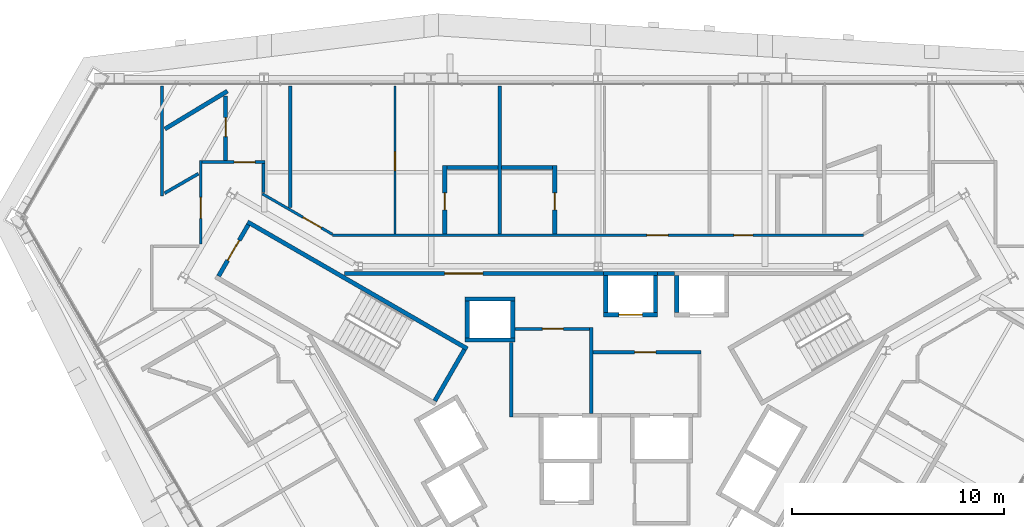
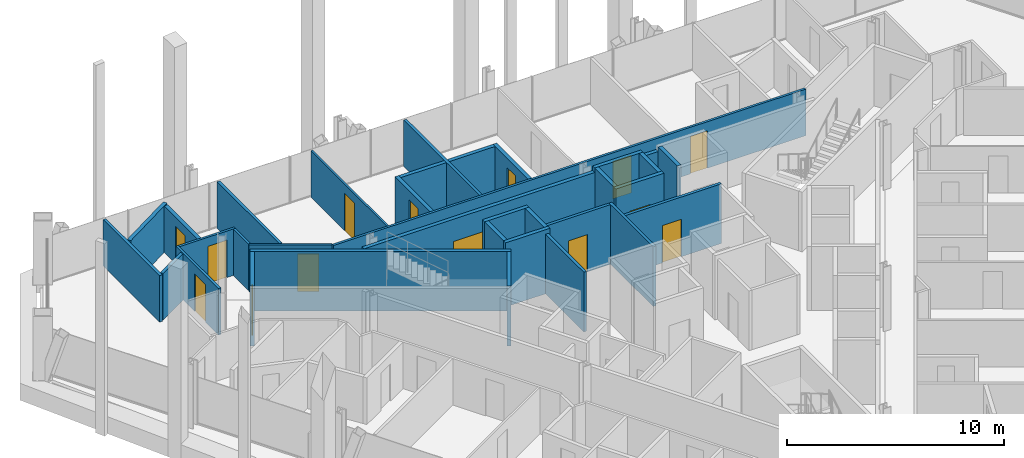
# One storey, part 13 of 17: 34 walls, 14 doors, 14 openings.
"""IFC4 building model written with IfcOpenShell, lengths in metres."""

import ifcopenshell
import ifcopenshell.guid

model = None  # the IFC model being written
_history = None  # IfcOwnerHistory: only IFC2X3 demands one
_inside = {}  # id of a spatial element -> (the spatial element, [elements in it])
_under = {}  # id of a project, library or spatial element -> (it, [spatial elements below it])
_declared = {}  # id of a project -> (the project, [libraries it declares])
_typed = {}  # id of a type object -> (the type object, [elements of that type])
_made_of = {}  # id of a material, layer set ... -> (it, [elements and type objects made of it])


def new_model(schema):
    """Start an empty IFC model of exactly this schema.

    Asked for "IFC4X3", IfcOpenShell would pick the latest addendum, in which some entities
    have other attributes; the version numbers below select the first issue.
    IFC2X3 requires an IfcOwnerHistory on every rooted entity: one is made here for all.
    """
    global model, _history
    if schema == "IFC4X3":
        model = ifcopenshell.file(schema_version=(4, 3, 0, 0))
    else:
        model = ifcopenshell.file(schema=schema)
    _inside.clear()
    _under.clear()
    _declared.clear()
    _typed.clear()
    _made_of.clear()
    _history = None
    if model.schema == "IFC2X3":
        org = make("IfcOrganization", Name="unknown")
        user = make(
            "IfcPersonAndOrganization",
            ThePerson=make("IfcPerson", FamilyName="unknown"),
            TheOrganization=org,
        )
        app = make(
            "IfcApplication",
            ApplicationDeveloper=org,
            Version="unknown",
            ApplicationFullName="unknown",
            ApplicationIdentifier="unknown",
        )
        _history = make(
            "IfcOwnerHistory",
            OwningUser=user,
            OwningApplication=app,
            ChangeAction="ADDED",
            CreationDate=0,
        )
    return model


def make(cls, **values):
    """One entity of the class cls with the attributes given. An attribute that is None is left unset."""
    return model.create_entity(
        cls, **{name: value for name, value in values.items() if value is not None}
    )


def rooted(cls, **values):
    """An entity with a GlobalId (a new one), such as an element, a storey or a relation."""
    return make(cls, GlobalId=ifcopenshell.guid.new(), OwnerHistory=_history, **values)


def si_unit(unit_type, name, prefix=None):
    """IfcSIUnit, for example si_unit("LENGTHUNIT", "METRE", prefix="MILLI")."""
    return make("IfcSIUnit", UnitType=unit_type, Prefix=prefix, Name=name)


def assignment(units):
    """IfcUnitAssignment: the units of a project."""
    return None if units is None else make("IfcUnitAssignment", Units=units)


def point(xyz):
    """IfcCartesianPoint."""
    return None if xyz is None else make("IfcCartesianPoint", Coordinates=xyz)


def direction(xyz):
    """IfcDirection."""
    return None if xyz is None else make("IfcDirection", DirectionRatios=xyz)


def frame(location, z_axis=None, x_axis=None):
    """IfcAxis2Placement3D, a coordinate frame: its origin and axes. An axis left out is left unset."""
    return make(
        "IfcAxis2Placement3D",
        Location=point(location),
        Axis=direction(z_axis),
        RefDirection=direction(x_axis),
    )


def frame_2d(location, x_axis=None):
    """IfcAxis2Placement2D, a coordinate frame in the plane: its origin and x axis."""
    return make(
        "IfcAxis2Placement2D", Location=point(location), RefDirection=direction(x_axis)
    )


def origin():
    """The frame at (0, 0, 0) with its axes left unset."""
    return frame((0.0, 0.0, 0.0))


def place(relative_to, where):
    """IfcLocalPlacement: puts the frame where relative to a parent placement (None: the world)."""
    return make(
        "IfcLocalPlacement", PlacementRelTo=relative_to, RelativePlacement=where
    )


def context(
    kind, dimensions, precision=None, world=None, true_north=None, identifier=None
):
    """IfcGeometricRepresentationContext, for example the 3D "Model" context."""
    return make(
        "IfcGeometricRepresentationContext",
        ContextIdentifier=identifier,
        ContextType=kind,
        CoordinateSpaceDimension=dimensions,
        Precision=precision,
        WorldCoordinateSystem=world,
        TrueNorth=true_north,
    )


def subcontext(parent, identifier, kind, view, scale=None):
    """IfcGeometricRepresentationSubContext, for example "Body" below "Model"."""
    return make(
        "IfcGeometricRepresentationSubContext",
        ContextIdentifier=identifier,
        ContextType=kind,
        ParentContext=parent,
        TargetScale=scale,
        TargetView=view,
    )


def project(units=None, contexts=None):
    """IfcProject with its units and contexts."""
    return rooted(
        "IfcProject",
        Name="project",
        RepresentationContexts=contexts,
        UnitsInContext=assignment(units),
    )


def spatial(cls, under=None, at=None, **own):
    """A site, building, storey or space (cls), placed at a placement, below another one or the project."""
    s = rooted(cls, ObjectPlacement=at, **own)
    if under is not None:
        _under.setdefault(under.id(), (under, []))[1].append(s)
    return s


def profile(cls, at=None, kind="AREA", **sizes):
    """A parametric profile (cls). Its sizes go by their IFC names, for example OverallWidth=200.0."""
    return make(cls, ProfileType=kind, Position=at, **sizes)


def rectangle(**sizes):
    """IfcRectangleProfileDef."""
    return profile("IfcRectangleProfileDef", **sizes)


def extrude(swept, where, along, depth):
    """IfcExtrudedAreaSolid: the profile swept, set in the frame where, extruded along a direction by depth."""
    return make(
        "IfcExtrudedAreaSolid",
        SweptArea=swept,
        Position=where,
        ExtrudedDirection=direction(along),
        Depth=depth,
    )


def shape(context_of_items, identifier, shape_type, items):
    """IfcShapeRepresentation: the items that make up one representation, for example the "Body"."""
    return make(
        "IfcShapeRepresentation",
        ContextOfItems=context_of_items,
        RepresentationIdentifier=identifier,
        RepresentationType=shape_type,
        Items=items,
    )


def material(Name=None, Category=None):
    """IfcMaterial."""
    return make("IfcMaterial", Name=Name, Category=Category)


def layer(
    of_material, thickness, ventilated=None, Name=None, Category=None, Priority=None
):
    """IfcMaterialLayer: one layer of a wall or slab, of a material (None: an air gap)."""
    return make(
        "IfcMaterialLayer",
        Material=of_material,
        LayerThickness=thickness,
        IsVentilated=ventilated,
        Name=Name,
        Category=Category,
        Priority=Priority,
    )


def layer_set(layers, Name=None):
    """IfcMaterialLayerSet."""
    return make("IfcMaterialLayerSet", MaterialLayers=layers, LayerSetName=Name)


def made_of(thing, what):
    """Note that an element or type object is made of a material, layer set ...; save() writes the relation."""
    if what is not None:
        _made_of.setdefault(what.id(), (what, []))[1].append(thing)
    return thing


def type_object(cls, material=None, **own):
    """A type object (cls), such as IfcWallType, which elements share."""
    return made_of(rooted(cls, **own), material)


def element(
    cls,
    number,
    at=None,
    inside=None,
    cuts=None,
    type_object=None,
    material=None,
    context=None,
    identifier="Body",
    shape_type=None,
    held_by="IfcProductDefinitionShape",
    body=None,
    shapes=None,
    **own,
):
    """One element of the class cls, such as IfcWall. Its Tag is "e" and its number.

    at: its placement. inside: the storey or other place that contains it. cuts: it is an
    opening in that element (IfcRelVoidsElement). A single representation is given by context,
    identifier, shape_type and body (its items); several are given by shapes. held_by: the class
    of the entity that holds the representations. save() writes the other relations.
    """
    e = rooted(cls, Tag="e%d" % number, ObjectPlacement=at, **own)
    if body is not None:
        shapes = [shape(context, identifier, shape_type, body)]
    if shapes is not None:
        e.Representation = make(held_by, Representations=shapes)
    if inside is not None:
        _inside.setdefault(inside.id(), (inside, []))[1].append(e)
    if cuts is not None:
        rooted(
            "IfcRelVoidsElement", RelatingBuildingElement=cuts, RelatedOpeningElement=e
        )
    if type_object is not None:
        _typed.setdefault(type_object.id(), (type_object, []))[1].append(e)
    return made_of(e, material)


def fill(opening, filler):
    """IfcRelFillsElement: the door or window that sits in an opening."""
    return rooted(
        "IfcRelFillsElement",
        RelatingOpeningElement=opening,
        RelatedBuildingElement=filler,
    )


def aggregate(whole, parts):
    """IfcRelAggregates: a whole, such as a stair, and the parts it consists of."""
    return rooted("IfcRelAggregates", RelatingObject=whole, RelatedObjects=parts)


def save(model, path):
    """Write the relations noted so far, then the file.

    IfcRelAggregates (storeys below a building ...), IfcRelContainedInSpatialStructure (elements
    in a storey), IfcRelDefinesByType, IfcRelAssociatesMaterial and IfcRelDeclares: one each for
    every whole, place, type object, material and project.
    """
    for whole, parts in _under.values():
        aggregate(whole, parts)
    for where, things in _inside.values():
        rooted(
            "IfcRelContainedInSpatialStructure",
            RelatedElements=things,
            RelatingStructure=where,
        )
    for kind, things in _typed.values():
        rooted("IfcRelDefinesByType", RelatedObjects=things, RelatingType=kind)
    for what, things in _made_of.values():
        rooted("IfcRelAssociatesMaterial", RelatedObjects=things, RelatingMaterial=what)
    for by, libraries in _declared.values():
        rooted("IfcRelDeclares", RelatingContext=by, RelatedDefinitions=libraries)
    model.write(path)


model = new_model("IFC4")

# Units and contexts
model_context = context("Model", 3, precision=1e-05, world=origin(), true_north=direction((0.0, 1.0)))
body_context = subcontext(model_context, "Body", "Model", "MODEL_VIEW")
ifc_project = project(units=[si_unit("LENGTHUNIT", "METRE"), si_unit("AREAUNIT", "SQUARE_METRE"), si_unit("VOLUMEUNIT", "CUBIC_METRE"), si_unit("PLANEANGLEUNIT", "RADIAN"), si_unit("MASSUNIT", "GRAM", prefix="KILO")], contexts=[model_context])

# Site, building, storey
site_placement = place(None, origin())
site = spatial("IfcSite", under=ifc_project, at=site_placement, CompositionType="ELEMENT")
building_placement = place(site_placement, origin())
building = spatial("IfcBuilding", under=site, at=building_placement, Name="Verrane Prism Tower", CompositionType="ELEMENT")
storey_placement = place(building_placement, frame((0.0, 0.0, 92.800048828125)))
storey = spatial("IfcBuildingStorey", under=building, at=storey_placement, Name="L21", CompositionType="ELEMENT", Elevation=92.800048828125)

# Wall, opening, door
ifc_material_1 = material(Name="Gypsum board partition", Category="other")
ifc_layer_1 = layer(ifc_material_1, 0.199951171875)
ifc_layer_set_1 = layer_set([ifc_layer_1], Name="CW-200 core boundary wall 2 h")
wall_type_1 = type_object("IfcWallType", Name="CW-200 core boundary wall 2 h", PredefinedType="PARTITIONING", material=ifc_layer_set_1)
wall_1_placement = place(storey_placement, frame((0.262939453125, 8.860107421875, 0.0), z_axis=(0.0, 0.0, 1.0), x_axis=(-1.0, 0.0, 0.0)))
wall_1 = element("IfcWall", 1, at=wall_1_placement, inside=storey, type_object=wall_type_1, Name="Core boundary wall CW3-002", PredefinedType="PARTITIONING", context=body_context, shape_type="SweptSolid", body=[
    extrude(rectangle(XDim=12.25390625, YDim=0.199951171875, at=frame_2d((6.126953125, 0.0))), origin(), (0.0, 0.0, 1.0), 3.349853515625),
])
opening_1_placement = place(wall_1_placement, frame((5.708984375, 0.0, 0.0)))
opening_1 = element("IfcOpeningElement", 2, at=opening_1_placement, cuts=wall_1, Name="Opening D21511", PredefinedType="OPENING", context=body_context, shape_type="SweptSolid", body=[
    extrude(rectangle(XDim=1.800048828125, YDim=2.10009765625, at=frame_2d((0.89990234375, 1.050048828125))), frame((0.0, 0.10986328125, 0.0), z_axis=(0.0, -1.0, 0.0), x_axis=(1.0, 0.0, 0.0)), (0.0, 0.0, 1.0), 0.219970703125),
])
ifc_material_2 = material(Name="Timber veneered door leaf", Category="wood")
door_type_1 = type_object("IfcDoorType", Name="DR-1800x2100 FD60 double leaf lift lobby", OperationType="NOTDEFINED", PredefinedType="DOOR", material=ifc_material_2)
door_1_placement = place(opening_1_placement, origin())
door_1 = element("IfcDoor", 3, at=door_1_placement, inside=storey, type_object=door_type_1, Name="Lift lobby door D21511", OperationType="DOUBLE_DOOR_SINGLE_SWING", OverallHeight=2.10009765625, OverallWidth=1.800048828125, PredefinedType="DOOR", context=body_context, shape_type="SweptSolid", body=[
    extrude(rectangle(XDim=1.800048828125, YDim=2.10009765625, at=frame_2d((0.89990234375, 1.050048828125))), frame((0.0, 0.02490234375, 0.0), z_axis=(0.0, -1.0, 0.0), x_axis=(1.0, 0.0, 0.0)), (0.0, 0.0, 1.0), 0.050048828125),
])
fill(opening_1, door_1)

# Wall
wall_2_placement = place(storey_placement, frame((2.81689453125, 8.860107421875, 0.0), z_axis=(0.0, 0.0, 1.0), x_axis=(1.0, 0.0, 0.0)))
element("IfcWall", 4, at=wall_2_placement, inside=storey, type_object=wall_type_1, Name="Core boundary wall CW3-004", PredefinedType="PARTITIONING", context=body_context, shape_type="SweptSolid", body=[
    extrude(rectangle(XDim=0.80615234375, YDim=0.199951171875, at=frame_2d((0.403076171875, 0.0))), origin(), (0.0, 0.0, 1.0), 3.349853515625),
])

# Wall, opening, door
ifc_material_3 = material(Name="Concrete C40/50", Category="concrete")
ifc_layer_2 = layer(ifc_material_3, 0.199951171875)
ifc_layer_set_2 = layer_set([ifc_layer_2], Name="CW-200 stair core wall concrete C40/50 3 h")
wall_type_2 = type_object("IfcWallType", Name="CW-200 stair core wall concrete C40/50 3 h", PredefinedType="PARTITIONING", material=ifc_layer_set_2)
wall_3_placement = place(storey_placement, frame((-16.533935546875, 11.162353515625, 0.0), z_axis=(0.0, 0.0, 1.0), x_axis=(-0.49998411664, -0.866034573852, 0.0)))
wall_3 = element("IfcWall", 5, at=wall_3_placement, inside=storey, type_object=wall_type_2, Name="Stair 2 enclosure wall", PredefinedType="PARTITIONING", context=body_context, shape_type="SweptSolid", body=[
    extrude(rectangle(XDim=2.7998046875, YDim=0.199951171875, at=frame_2d((1.39990234375, 0.0))), origin(), (0.0, 0.0, 1.0), 3.349853515625),
])
opening_2_placement = place(wall_3_placement, frame((0.849853515625, 0.0, 0.0)))
opening_2 = element("IfcOpeningElement", 6, at=opening_2_placement, cuts=wall_3, Name="Opening D21501", PredefinedType="OPENING", context=body_context, shape_type="SweptSolid", body=[
    extrude(rectangle(XDim=1.10009765625, YDim=2.10009765625, at=frame_2d((0.550048828125, 1.050048828125))), frame((0.0, 0.10986328125, 0.0), z_axis=(0.0, -1.0, 0.0), x_axis=(1.0, 0.0, 0.0)), (0.0, 0.0, 1.0), 0.219970703125),
])
ifc_material_4 = material(Name="Timber veneered door leaf", Category="wood")
door_type_2 = type_object("IfcDoorType", Name="DR-1100x2100 FD90 single leaf stair", OperationType="NOTDEFINED", PredefinedType="DOOR", material=ifc_material_4)
door_2_placement = place(opening_2_placement, origin())
door_2 = element("IfcDoor", 7, at=door_2_placement, inside=storey, type_object=door_type_2, Name="Stair 2 door", OperationType="SINGLE_SWING_RIGHT", OverallHeight=2.10009765625, OverallWidth=1.10009765625, PredefinedType="DOOR", context=body_context, shape_type="SweptSolid", body=[
    extrude(rectangle(XDim=1.10009765625, YDim=2.10009765625, at=frame_2d((0.550048828125, 1.050048828125))), frame((0.0, 0.02490234375, 0.0), z_axis=(0.0, -1.0, 0.0), x_axis=(1.0, 0.0, 0.0)), (0.0, 0.0, 1.0), 0.050048828125),
])
fill(opening_2, door_2)

# Walls
wall_4_placement = place(storey_placement, frame((-6.17822265625, 5.299072265625, 0.0), z_axis=(0.0, 0.0, 1.0), x_axis=(-0.866026010844, 0.49999894854, 0.0)))
element("IfcWall", 8, at=wall_4_placement, inside=storey, type_object=wall_type_2, Name="Stair 2 enclosure wall", PredefinedType="PARTITIONING", context=body_context, shape_type="SweptSolid", body=[
    extrude(rectangle(XDim=12.0, YDim=0.199951171875, at=frame_2d((6.0, 0.0))), origin(), (0.0, 0.0, 1.0), 3.349853515625),
])
wall_5_placement = place(storey_placement, frame((-6.314697265625, 5.262451171875, 0.0), z_axis=(0.0, 0.0, 1.0), x_axis=(-0.500049511043, -0.865996816683, 0.0)))
element("IfcWall", 9, at=wall_5_placement, inside=storey, type_object=wall_type_2, Name="Stair 2 enclosure wall", PredefinedType="PARTITIONING", context=body_context, shape_type="SweptSolid", body=[
    extrude(rectangle(XDim=2.800048828125, YDim=0.199951171875, at=frame_2d((1.39990234375, 0.0))), origin(), (0.0, 0.0, 1.0), 3.349853515625),
])
ifc_material_5 = material(Name="Gypsum board shaft wall assembly", Category="other")
ifc_layer_3 = layer(ifc_material_5, 0.199951171875)
ifc_layer_set_3 = layer_set([ifc_layer_3], Name="HW-200 lift shaft wall 2 h")
wall_type_3 = type_object("IfcWallType", Name="HW-200 lift shaft wall 2 h", PredefinedType="PARTITIONING", material=ifc_layer_set_3)
wall_6_placement = place(storey_placement, frame((-6.284912109375, 5.7099609375, 0.0), z_axis=(0.0, 0.0, 1.0), x_axis=(1.0, 0.0, 0.0)))
element("IfcWall", 10, at=wall_6_placement, inside=storey, type_object=wall_type_3, Name="Lift shaft wall", PredefinedType="PARTITIONING", context=body_context, shape_type="SweptSolid", body=[
    extrude(rectangle(XDim=2.349853515625, YDim=0.199951171875, at=frame_2d((1.1748046875, 0.0))), origin(), (0.0, 0.0, 1.0), 3.599853515625),
])

# Wall, opening, door
wall_7_placement = place(storey_placement, frame((0.264892578125, 6.909912109375, 0.0), z_axis=(0.0, 0.0, 1.0), x_axis=(1.0, 0.0, 0.0)))
wall_7 = element("IfcWall", 11, at=wall_7_placement, inside=storey, type_object=wall_type_3, Name="Lift shaft wall", PredefinedType="PARTITIONING", context=body_context, shape_type="SweptSolid", body=[
    extrude(rectangle(XDim=2.550048828125, YDim=0.199951171875, at=frame_2d((1.27490234375, 0.0))), origin(), (0.0, 0.0, 1.0), 3.599853515625),
])
opening_3_placement = place(wall_7_placement, frame((0.72509765625, 0.0, 0.0)))
opening_3 = element("IfcOpeningElement", 12, at=opening_3_placement, cuts=wall_7, Name="Opening D21503", PredefinedType="OPENING", context=body_context, shape_type="SweptSolid", body=[
    extrude(rectangle(XDim=1.10009765625, YDim=2.10009765625, at=frame_2d((0.550048828125, 1.050048828125))), frame((0.0, 0.10986328125, 0.0), z_axis=(0.0, -1.0, 0.0), x_axis=(1.0, 0.0, 0.0)), (0.0, 0.0, 1.0), 0.219970703125),
])
ifc_material_6 = material(Name="Stainless steel sliding landing door", Category="steel")
door_type_3 = type_object("IfcDoorType", Name="LD-1100x2100 lift landing door FD90 sliding", OperationType="NOTDEFINED", PredefinedType="DOOR", material=ifc_material_6)
door_3_placement = place(opening_3_placement, origin())
door_3 = element("IfcDoor", 13, at=door_3_placement, inside=storey, type_object=door_type_3, Name="Bank A lift 1 landing door", OperationType="SLIDING_TO_LEFT", OverallHeight=2.10009765625, OverallWidth=1.10009765625, PredefinedType="DOOR", context=body_context, shape_type="SweptSolid", body=[
    extrude(rectangle(XDim=1.10009765625, YDim=2.10009765625, at=frame_2d((0.550048828125, 1.050048828125))), frame((0.0, 0.02490234375, 0.0), z_axis=(0.0, -1.0, 0.0), x_axis=(1.0, 0.0, 0.0)), (0.0, 0.0, 1.0), 0.050048828125),
])
fill(opening_3, door_3)

# Walls
wall_8_placement = place(storey_placement, frame((-6.284912109375, 7.659912109375, 0.0), z_axis=(0.0, 0.0, 1.0), x_axis=(1.0, 0.0, 0.0)))
element("IfcWall", 14, at=wall_8_placement, inside=storey, type_object=wall_type_3, Name="Lift shaft wall", PredefinedType="PARTITIONING", context=body_context, shape_type="SweptSolid", body=[
    extrude(rectangle(XDim=2.349853515625, YDim=0.199951171875, at=frame_2d((1.1748046875, 0.0))), origin(), (0.0, 0.0, 1.0), 3.599853515625),
])
wall_9_placement = place(storey_placement, frame((0.264892578125, 8.860107421875, 0.0), z_axis=(0.0, 0.0, 1.0), x_axis=(1.0, 0.0, 0.0)))
element("IfcWall", 15, at=wall_9_placement, inside=storey, type_object=wall_type_3, Name="Lift shaft wall", PredefinedType="PARTITIONING", context=body_context, shape_type="SweptSolid", body=[
    extrude(rectangle(XDim=2.550048828125, YDim=0.199951171875, at=frame_2d((1.27490234375, 0.0))), origin(), (0.0, 0.0, 1.0), 3.599853515625),
])
for number, where, z_axis, x_axis, name in (
    (16, (3.72509765625, 7.010009765625, 0.0), (0.0, 0.0, 1.0), (0.0, 1.0, 0.0), "Lift shaft wall"),
    (17, (2.715087890625, 7.010009765625, 0.0), (0.0, 0.0, 1.0), (0.0, 1.0, 0.0), "Lift shaft wall"),
    (18, (0.364990234375, 7.010009765625, 0.0), (0.0, 0.0, 1.0), (0.0, 1.0, 0.0), "Lift shaft wall"),
    (19, (-4.034912109375, 5.81005859375, 0.0), (0.0, 0.0, 1.0), (0.0, 1.0, 0.0), "Lift shaft wall"),
    (20, (-6.18505859375, 5.81005859375, 0.0), (0.0, 0.0, 1.0), (0.0, 1.0, 0.0), "Lift shaft wall"),
):
    element("IfcWall", number, at=place(storey_placement, frame(where, z_axis=z_axis, x_axis=x_axis)), inside=storey, type_object=wall_type_3, Name=name, PredefinedType="PARTITIONING", context=body_context, shape_type="SweptSolid", body=[
        extrude(rectangle(XDim=1.75, YDim=0.199951171875, at=frame_2d((0.875, 0.0))), origin(), (0.0, 0.0, 1.0), 3.599853515625),
    ])
ifc_material_7 = material(Name="Gypsum board partition", Category="other")
ifc_layer_4 = layer(ifc_material_7, 0.14990234375)
ifc_layer_set_4 = layer_set([ifc_layer_4], Name="LF-150 firefighting lobby wall 1 h")
wall_type_4 = type_object("IfcWallType", Name="LF-150 firefighting lobby wall 1 h", PredefinedType="PARTITIONING", material=ifc_layer_set_4)
wall_10_placement = place(storey_placement, frame((-4.10009765625, 2.0849609375, 0.0), z_axis=(0.0, 0.0, 1.0), x_axis=(0.0, 1.0, 0.0)))
element("IfcWall", 21, at=wall_10_placement, inside=storey, type_object=wall_type_4, Name="Firefighting lobby wall LF1-001", PredefinedType="PARTITIONING", context=body_context, shape_type="SweptSolid", body=[
    extrude(rectangle(XDim=3.52294921875, YDim=0.14990234375, at=frame_2d((1.761474609375, 0.0))), origin(), (0.0, 0.0, 1.0), 3.349853515625),
])

# Wall, opening, door
wall_11_placement = place(storey_placement, frame((-3.93310546875, 6.239990234375, 0.0), z_axis=(0.0, 0.0, 1.0), x_axis=(1.0, 0.0, 0.0)))
wall_11 = element("IfcWall", 22, at=wall_11_placement, inside=storey, type_object=wall_type_4, Name="Firefighting lobby wall LF1-003", PredefinedType="PARTITIONING", context=body_context, shape_type="SweptSolid", body=[
    extrude(rectangle(XDim=3.5380859375, YDim=0.14990234375, at=frame_2d((1.76904296875, 0.0))), origin(), (0.0, 0.0, 1.0), 3.349853515625),
])
opening_4_placement = place(wall_11_placement, frame((1.300048828125, 0.0, 0.0)))
opening_4 = element("IfcOpeningElement", 23, at=opening_4_placement, cuts=wall_11, Name="Opening D21515", PredefinedType="OPENING", context=body_context, shape_type="SweptSolid", body=[
    extrude(rectangle(XDim=1.0, YDim=2.10009765625, at=frame_2d((0.5, 1.050048828125))), frame((0.0, 0.0849609375, 0.0), z_axis=(0.0, -1.0, 0.0), x_axis=(1.0, 0.0, 0.0)), (0.0, 0.0, 1.0), 0.169921875),
])
ifc_material_8 = material(Name="Timber veneered door leaf", Category="wood")
door_type_4 = type_object("IfcDoorType", Name="DR-1000x2100 FD60 single leaf firefighting lobby", OperationType="NOTDEFINED", PredefinedType="DOOR", material=ifc_material_8)
door_4_placement = place(opening_4_placement, origin())
door_4 = element("IfcDoor", 24, at=door_4_placement, inside=storey, type_object=door_type_4, Name="Firefighting lobby door D21515", OperationType="SINGLE_SWING_LEFT", OverallHeight=2.10009765625, OverallWidth=1.0, PredefinedType="DOOR", context=body_context, shape_type="SweptSolid", body=[
    extrude(rectangle(XDim=1.0, YDim=2.10009765625, at=frame_2d((0.5, 1.050048828125))), frame((0.0, 0.02490234375, 0.0), z_axis=(0.0, -1.0, 0.0), x_axis=(1.0, 0.0, 0.0)), (0.0, 0.0, 1.0), 0.050048828125),
])
fill(opening_4, door_4)

# Wall
wall_12_placement = place(storey_placement, frame((-0.320068359375, 2.251953125, 0.0), z_axis=(0.0, 0.0, 1.0), x_axis=(0.0, 1.0, 0.0)))
element("IfcWall", 25, at=wall_12_placement, inside=storey, type_object=wall_type_4, Name="Firefighting lobby wall LF1-004", PredefinedType="PARTITIONING", context=body_context, shape_type="SweptSolid", body=[
    extrude(rectangle(XDim=4.06298828125, YDim=0.14990234375, at=frame_2d((2.031494140625, 0.0))), origin(), (0.0, 0.0, 1.0), 3.349853515625),
])

# Wall, opening, door
wall_13_placement = place(storey_placement, frame((-0.2451171875, 5.139892578125, 0.0), z_axis=(0.0, 0.0, 1.0), x_axis=(1.0, 0.0, 0.0)))
wall_13 = element("IfcWall", 26, at=wall_13_placement, inside=storey, type_object=wall_type_4, Name="Firefighting lobby wall LF1-005", PredefinedType="PARTITIONING", context=body_context, shape_type="SweptSolid", body=[
    extrude(rectangle(XDim=5.110107421875, YDim=0.14990234375, at=frame_2d((2.55517578125, 0.0))), origin(), (0.0, 0.0, 1.0), 3.349853515625),
])
opening_5_placement = place(wall_13_placement, frame((1.97509765625, 0.0, 0.0)))
opening_5 = element("IfcOpeningElement", 27, at=opening_5_placement, cuts=wall_13, Name="Opening D21516", PredefinedType="OPENING", context=body_context, shape_type="SweptSolid", body=[
    extrude(rectangle(XDim=1.0, YDim=2.10009765625, at=frame_2d((0.5, 1.050048828125))), frame((0.0, 0.0849609375, 0.0), z_axis=(0.0, -1.0, 0.0), x_axis=(1.0, 0.0, 0.0)), (0.0, 0.0, 1.0), 0.169921875),
])
door_5_placement = place(opening_5_placement, origin())
door_5 = element("IfcDoor", 28, at=door_5_placement, inside=storey, type_object=door_type_4, Name="Firefighting lobby door D21516", OperationType="SINGLE_SWING_RIGHT", OverallHeight=2.10009765625, OverallWidth=1.0, PredefinedType="DOOR", context=body_context, shape_type="SweptSolid", body=[
    extrude(rectangle(XDim=1.0, YDim=2.10009765625, at=frame_2d((0.5, 1.050048828125))), frame((0.0, 0.02490234375, 0.0), z_axis=(0.0, -1.0, 0.0), x_axis=(1.0, 0.0, 0.0)), (0.0, 0.0, 1.0), 0.050048828125),
])
fill(opening_5, door_5)

ifc_material_9 = material(Name="Gypsum board partition", Category="other")
ifc_layer_5 = layer(ifc_material_9, 0.10009765625)
ifc_layer_set_5 = layer_set([ifc_layer_5], Name="PW-100 room partition")
wall_type_5 = type_object("IfcWallType", Name="PW-100 room partition", PredefinedType="PARTITIONING", material=ifc_layer_set_5)
wall_14_placement = place(storey_placement, frame((-9.596923828125, 17.715087890625, 0.0), z_axis=(0.0, 0.0, 1.0), x_axis=(0.0, -1.0, 0.0)))
wall_14 = element("IfcWall", 29, at=wall_14_placement, inside=storey, type_object=wall_type_5, Name="Room partition 032", PredefinedType="PARTITIONING", context=body_context, shape_type="SweptSolid", body=[
    extrude(rectangle(XDim=6.981689453125, YDim=0.10009765625, at=frame_2d((3.49072265625, 0.0))), origin(), (0.0, 0.0, 1.0), 2.613037109375),
])
opening_6_placement = place(wall_14_placement, frame((3.093994140625, 0.0, 0.0)))
opening_6 = element("IfcOpeningElement", 30, at=opening_6_placement, cuts=wall_14, Name="Opening D21021", PredefinedType="OPENING", context=body_context, shape_type="SweptSolid", body=[
    extrude(rectangle(XDim=0.89990234375, YDim=2.10009765625, at=frame_2d((0.449951171875, 1.050048828125))), frame((0.0, 0.06005859375, 0.0), z_axis=(0.0, -1.0, 0.0), x_axis=(1.0, 0.0, 0.0)), (0.0, 0.0, 1.0), 0.1201171875),
])
ifc_material_10 = material(Name="Timber veneered door leaf", Category="wood")
door_type_5 = type_object("IfcDoorType", Name="DR-900x2100 single leaf inner", OperationType="NOTDEFINED", PredefinedType="DOOR", material=ifc_material_10)
door_6_placement = place(opening_6_placement, origin())
door_6 = element("IfcDoor", 31, at=door_6_placement, inside=storey, type_object=door_type_5, Name="Suite Living Room door", OperationType="SINGLE_SWING_RIGHT", OverallHeight=2.10009765625, OverallWidth=0.89990234375, PredefinedType="DOOR", context=body_context, shape_type="SweptSolid", body=[
    extrude(rectangle(XDim=0.89990234375, YDim=2.10009765625, at=frame_2d((0.449951171875, 1.050048828125))), frame((0.0, 0.02490234375, 0.0), z_axis=(0.0, -1.0, 0.0), x_axis=(1.0, 0.0, 0.0)), (0.0, 0.0, 1.0), 0.050048828125),
])
fill(opening_6, door_6)

ifc_material_11 = material(Name="Gypsum board partition", Category="other")
ifc_layer_6 = layer(ifc_material_11, 0.125)
ifc_layer_set_6 = layer_set([ifc_layer_6], Name="PW-125 corridor wall 1 h")
wall_type_6 = type_object("IfcWallType", Name="PW-125 corridor wall 1 h", PredefinedType="PARTITIONING", material=ifc_layer_set_6)
wall_15_placement = place(storey_placement, frame((-18.787109375, 10.259033203125, 0.0), z_axis=(0.0, 0.0, 1.0), x_axis=(0.0, 1.0, 0.0)))
wall_15 = element("IfcWall", 32, at=wall_15_placement, inside=storey, type_object=wall_type_6, Name="Corridor wall 011", PredefinedType="PARTITIONING", context=body_context, shape_type="SweptSolid", body=[
    extrude(rectangle(XDim=3.930419921875, YDim=0.125, at=frame_2d((1.96533203125, 0.0))), origin(), (0.0, 0.0, 1.0), 2.613037109375),
])
opening_7_placement = place(wall_15_placement, frame((1.199951171875, 0.0, 0.0)))
opening_7 = element("IfcOpeningElement", 33, at=opening_7_placement, cuts=wall_15, Name="Opening D21025", PredefinedType="OPENING", context=body_context, shape_type="SweptSolid", body=[
    extrude(rectangle(XDim=1.0, YDim=2.10009765625, at=frame_2d((0.5, 1.050048828125))), frame((0.0, 0.072509765625, 0.0), z_axis=(0.0, -1.0, 0.0), x_axis=(1.0, 0.0, 0.0)), (0.0, 0.0, 1.0), 0.14501953125),
])
ifc_material_12 = material(Name="Timber veneered door leaf", Category="wood")
door_type_6 = type_object("IfcDoorType", Name="DR-1000x2100 FD20 single leaf unit", OperationType="NOTDEFINED", PredefinedType="DOOR", material=ifc_material_12)
door_7_placement = place(opening_7_placement, origin())
door_7 = element("IfcDoor", 34, at=door_7_placement, inside=storey, type_object=door_type_6, Name="Suite Living Room door", OperationType="SINGLE_SWING_LEFT", OverallHeight=2.10009765625, OverallWidth=1.0, PredefinedType="DOOR", context=body_context, shape_type="SweptSolid", body=[
    extrude(rectangle(XDim=1.0, YDim=2.10009765625, at=frame_2d((0.5, 1.050048828125))), frame((0.0, 0.02490234375, 0.0), z_axis=(0.0, -1.0, 0.0), x_axis=(1.0, 0.0, 0.0)), (0.0, 0.0, 1.0), 0.050048828125),
])
fill(opening_7, door_7)

wall_16_placement = place(storey_placement, frame((-18.721923828125, 14.126953125, 0.0), z_axis=(0.0, 0.0, 1.0), x_axis=(1.0, 0.0, 0.0)))
wall_16 = element("IfcWall", 35, at=wall_16_placement, inside=storey, type_object=wall_type_6, Name="Corridor wall 012", PredefinedType="PARTITIONING", context=body_context, shape_type="SweptSolid", body=[
    extrude(rectangle(XDim=2.971435546875, YDim=0.125, at=frame_2d((1.48583984375, 0.0))), origin(), (0.0, 0.0, 1.0), 2.613037109375),
])
opening_8_placement = place(wall_16_placement, frame((1.51904296875, 0.0, 0.0)))
opening_8 = element("IfcOpeningElement", 36, at=opening_8_placement, cuts=wall_16, Name="Opening D21023", PredefinedType="OPENING", context=body_context, shape_type="SweptSolid", body=[
    extrude(rectangle(XDim=1.0, YDim=2.10009765625, at=frame_2d((0.5, 1.050048828125))), frame((0.0, 0.072509765625, 0.0), z_axis=(0.0, -1.0, 0.0), x_axis=(1.0, 0.0, 0.0)), (0.0, 0.0, 1.0), 0.14501953125),
])
door_8_placement = place(opening_8_placement, origin())
door_8 = element("IfcDoor", 37, at=door_8_placement, inside=storey, type_object=door_type_6, Name="Accessible Guest Room door", OperationType="SINGLE_SWING_LEFT", OverallHeight=2.10009765625, OverallWidth=1.0, PredefinedType="DOOR", context=body_context, shape_type="SweptSolid", body=[
    extrude(rectangle(XDim=1.0, YDim=2.10009765625, at=frame_2d((0.5, 1.050048828125))), frame((0.0, 0.02490234375, 0.0), z_axis=(0.0, -1.0, 0.0), x_axis=(1.0, 0.0, 0.0)), (0.0, 0.0, 1.0), 0.050048828125),
])
fill(opening_8, door_8)

# Wall
wall_17_placement = place(storey_placement, frame((-15.81298828125, 12.678955078125, 0.0), z_axis=(0.0, 0.0, 1.0), x_axis=(0.0, 1.0, 0.0)))
element("IfcWall", 38, at=wall_17_placement, inside=storey, type_object=wall_type_6, Name="Corridor wall 019", PredefinedType="PARTITIONING", context=body_context, shape_type="SweptSolid", body=[
    extrude(rectangle(XDim=1.383056640625, YDim=0.125, at=frame_2d((0.69140625, 0.0))), origin(), (0.0, 0.0, 1.0), 2.613037109375),
])

# Wall, opening, door
wall_18_placement = place(storey_placement, frame((-15.8671875, 12.625244140625, 0.0), z_axis=(0.0, 0.0, 1.0), x_axis=(0.86603035395, -0.499991425964, 0.0)))
wall_18 = element("IfcWall", 39, at=wall_18_placement, inside=storey, type_object=wall_type_6, Name="Corridor wall 020", PredefinedType="PARTITIONING", context=body_context, shape_type="SweptSolid", body=[
    extrude(rectangle(XDim=3.82373046875, YDim=0.125, at=frame_2d((1.911865234375, 0.0))), origin(), (0.0, 0.0, 1.0), 2.613037109375),
])
opening_9_placement = place(wall_18_placement, frame((2.218505859375, 0.0, 0.0)))
opening_9 = element("IfcOpeningElement", 40, at=opening_9_placement, cuts=wall_18, Name="Opening D21020", PredefinedType="OPENING", context=body_context, shape_type="SweptSolid", body=[
    extrude(rectangle(XDim=1.0, YDim=2.10009765625, at=frame_2d((0.5, 1.050048828125))), frame((0.0, 0.072509765625, 0.0), z_axis=(0.0, -1.0, 0.0), x_axis=(1.0, 0.0, 0.0)), (0.0, 0.0, 1.0), 0.14501953125),
])
door_9_placement = place(opening_9_placement, origin())
door_9 = element("IfcDoor", 41, at=door_9_placement, inside=storey, type_object=door_type_6, Name="Suite Living Room door", OperationType="SINGLE_SWING_RIGHT", OverallHeight=2.10009765625, OverallWidth=1.0, PredefinedType="DOOR", context=body_context, shape_type="SweptSolid", body=[
    extrude(rectangle(XDim=1.0, YDim=2.10009765625, at=frame_2d((0.5, 1.050048828125))), frame((0.0, 0.02490234375, 0.0), z_axis=(0.0, -1.0, 0.0), x_axis=(1.0, 0.0, 0.0)), (0.0, 0.0, 1.0), 0.050048828125),
])
fill(opening_9, door_9)

# Wall, openings, doors
wall_19_placement = place(storey_placement, frame((-12.54443359375, 10.6708984375, 0.0), z_axis=(0.0, 0.0, 1.0), x_axis=(1.0, 0.0, 0.0)))
wall_19 = element("IfcWall", 42, at=wall_19_placement, inside=storey, type_object=wall_type_6, Name="Corridor wall 027", PredefinedType="PARTITIONING", context=body_context, shape_type="SweptSolid", body=[
    extrude(rectangle(XDim=25.0888671875, YDim=0.125, at=frame_2d((12.54443359375, 0.0))), origin(), (0.0, 0.0, 1.0), 2.613037109375),
])
opening_10_placement = place(wall_19_placement, frame((18.96240234375, 0.0, 0.0)))
opening_10 = element("IfcOpeningElement", 43, at=opening_10_placement, cuts=wall_19, Name="Opening D21015", PredefinedType="OPENING", context=body_context, shape_type="SweptSolid", body=[
    extrude(rectangle(XDim=0.89990234375, YDim=2.10009765625, at=frame_2d((0.449951171875, 1.050048828125))), frame((0.0, 0.072509765625, 0.0), z_axis=(0.0, -1.0, 0.0), x_axis=(1.0, 0.0, 0.0)), (0.0, 0.0, 1.0), 0.14501953125),
])
opening_11_placement = place(wall_19_placement, frame((14.857421875, 0.0, 0.0)))
opening_11 = element("IfcOpeningElement", 44, at=opening_11_placement, cuts=wall_19, Name="Opening D21017", PredefinedType="OPENING", context=body_context, shape_type="SweptSolid", body=[
    extrude(rectangle(XDim=1.0, YDim=2.10009765625, at=frame_2d((0.5, 1.050048828125))), frame((0.0, 0.072509765625, 0.0), z_axis=(0.0, -1.0, 0.0), x_axis=(1.0, 0.0, 0.0)), (0.0, 0.0, 1.0), 0.14501953125),
])
door_10_placement = place(opening_11_placement, origin())
door_10 = element("IfcDoor", 45, at=door_10_placement, inside=storey, type_object=door_type_6, Name="Suite Living Room door", OperationType="SINGLE_SWING_LEFT", OverallHeight=2.10009765625, OverallWidth=1.0, PredefinedType="DOOR", context=body_context, shape_type="SweptSolid", body=[
    extrude(rectangle(XDim=1.0, YDim=2.10009765625, at=frame_2d((0.5, 1.050048828125))), frame((0.0, 0.02490234375, 0.0), z_axis=(0.0, -1.0, 0.0), x_axis=(1.0, 0.0, 0.0)), (0.0, 0.0, 1.0), 0.050048828125),
])
fill(opening_11, door_10)
ifc_material_13 = material(Name="Timber veneered door leaf", Category="wood")
door_type_7 = type_object("IfcDoorType", Name="DR-900x2100 FD20 single leaf unit", OperationType="NOTDEFINED", PredefinedType="DOOR", material=ifc_material_13)
door_11_placement = place(opening_10_placement, origin())
door_11 = element("IfcDoor", 46, at=door_11_placement, inside=storey, type_object=door_type_7, Name="Guest Room door", OperationType="SINGLE_SWING_LEFT", OverallHeight=2.10009765625, OverallWidth=0.89990234375, PredefinedType="DOOR", context=body_context, shape_type="SweptSolid", body=[
    extrude(rectangle(XDim=0.89990234375, YDim=2.10009765625, at=frame_2d((0.449951171875, 1.050048828125))), frame((0.0, 0.02490234375, 0.0), z_axis=(0.0, -1.0, 0.0), x_axis=(1.0, 0.0, 0.0)), (0.0, 0.0, 1.0), 0.050048828125),
])
fill(opening_10, door_11)

# Walls
ifc_material_14 = material(Name="Gypsum board partition", Category="other")
ifc_layer_7 = layer(ifc_material_14, 0.14990234375)
ifc_layer_set_7 = layer_set([ifc_layer_7], Name="PW-150 demising wall 1 h")
wall_type_7 = type_object("IfcWallType", Name="PW-150 demising wall 1 h", PredefinedType="PARTITIONING", material=ifc_layer_set_7)
wall_20_placement = place(storey_placement, frame((-20.60302734375, 12.512939453125, 0.0), z_axis=(0.0, 0.0, 1.0), x_axis=(0.0, 1.0, 0.0)))
element("IfcWall", 47, at=wall_20_placement, inside=storey, type_object=wall_type_7, Name="Demising wall 008", PredefinedType="PARTITIONING", context=body_context, shape_type="SweptSolid", body=[
    extrude(rectangle(XDim=5.2021484375, YDim=0.14990234375, at=frame_2d((2.60107421875, 0.0))), origin(), (0.0, 0.0, 1.0), 2.613037109375),
])
wall_21_placement = place(storey_placement, frame((-20.490478515625, 12.653076171875, 0.0), z_axis=(0.0, 0.0, 1.0), x_axis=(0.866141673836, 0.499798560267, 0.0)))
element("IfcWall", 48, at=wall_21_placement, inside=storey, type_object=wall_type_7, Name="Demising wall 009", PredefinedType="PARTITIONING", context=body_context, shape_type="SweptSolid", body=[
    extrude(rectangle(XDim=1.851318359375, YDim=0.14990234375, at=frame_2d((0.92578125, 0.0))), origin(), (0.0, 0.0, 1.0), 2.613037109375),
])
wall_22_placement = place(storey_placement, frame((-14.552001953125, 11.9814453125, 0.0), z_axis=(0.0, 0.0, 1.0), x_axis=(0.0, 1.0, 0.0)))
element("IfcWall", 49, at=wall_22_placement, inside=storey, type_object=wall_type_7, Name="Demising wall 024", PredefinedType="PARTITIONING", context=body_context, shape_type="SweptSolid", body=[
    extrude(rectangle(XDim=5.733642578125, YDim=0.14990234375, at=frame_2d((2.86669921875, 0.0))), origin(), (0.0, 0.0, 1.0), 2.613037109375),
])
wall_23_placement = place(storey_placement, frame((-4.64208984375, 10.7333984375, 0.0), z_axis=(0.0, 0.0, 1.0), x_axis=(0.0, 1.0, 0.0)))
element("IfcWall", 50, at=wall_23_placement, inside=storey, type_object=wall_type_7, Name="Demising wall 044", PredefinedType="PARTITIONING", context=body_context, shape_type="SweptSolid", body=[
    extrude(rectangle(XDim=6.981689453125, YDim=0.14990234375, at=frame_2d((3.49072265625, 0.0))), origin(), (0.0, 0.0, 1.0), 2.613037109375),
])
ifc_material_15 = material(Name="Gypsum board partition", Category="other")
ifc_layer_8 = layer(ifc_material_15, 0.199951171875)
ifc_layer_set_8 = layer_set([ifc_layer_8], Name="PW-200 plumbing wall")
wall_type_8 = type_object("IfcWallType", Name="PW-200 plumbing wall", PredefinedType="PARTITIONING", material=ifc_layer_set_8)
wall_24_placement = place(storey_placement, frame((-20.476318359375, 15.687744140625, 0.0), z_axis=(0.0, 0.0, 1.0), x_axis=(0.855493496237, 0.517813555148, 0.0)))
element("IfcWall", 51, at=wall_24_placement, inside=storey, type_object=wall_type_8, Name="Plumbing wall 010", PredefinedType="PARTITIONING", context=body_context, shape_type="SweptSolid", body=[
    extrude(rectangle(XDim=3.458740234375, YDim=0.199951171875, at=frame_2d((1.7294921875, 0.0))), origin(), (0.0, 0.0, 1.0), 2.613037109375),
])

# Wall, opening, door
wall_25_placement = place(storey_placement, frame((-17.60302734375, 14.189453125, 0.0), z_axis=(0.0, 0.0, 1.0), x_axis=(0.0, 1.0, 0.0)))
wall_25 = element("IfcWall", 52, at=wall_25_placement, inside=storey, type_object=wall_type_8, Name="Plumbing wall 016", PredefinedType="PARTITIONING", context=body_context, shape_type="SweptSolid", body=[
    extrude(rectangle(XDim=3.0625, YDim=0.199951171875, at=frame_2d((1.53125, 0.0))), origin(), (0.0, 0.0, 1.0), 2.613037109375),
])
opening_12_placement = place(wall_25_placement, frame((1.137451171875, 0.0, 0.0)))
opening_12 = element("IfcOpeningElement", 53, at=opening_12_placement, cuts=wall_25, Name="Opening D21024", PredefinedType="OPENING", context=body_context, shape_type="SweptSolid", body=[
    extrude(rectangle(XDim=0.89990234375, YDim=2.10009765625, at=frame_2d((0.449951171875, 1.050048828125))), frame((0.0, 0.10986328125, 0.0), z_axis=(0.0, -1.0, 0.0), x_axis=(1.0, 0.0, 0.0)), (0.0, 0.0, 1.0), 0.219970703125),
])
ifc_material_16 = material(Name="Timber veneered door leaf", Category="wood")
door_type_8 = type_object("IfcDoorType", Name="DR-900x2100 single leaf bath", OperationType="NOTDEFINED", PredefinedType="DOOR", material=ifc_material_16)
door_12_placement = place(opening_12_placement, origin())
door_12 = element("IfcDoor", 54, at=door_12_placement, inside=storey, type_object=door_type_8, Name="En-Suite door", OperationType="SINGLE_SWING_RIGHT", OverallHeight=2.10009765625, OverallWidth=0.89990234375, PredefinedType="DOOR", context=body_context, shape_type="SweptSolid", body=[
    extrude(rectangle(XDim=0.89990234375, YDim=2.10009765625, at=frame_2d((0.449951171875, 1.050048828125))), frame((0.0, 0.02490234375, 0.0), z_axis=(0.0, -1.0, 0.0), x_axis=(1.0, 0.0, 0.0)), (0.0, 0.0, 1.0), 0.050048828125),
])
fill(opening_12, door_12)

wall_26_placement = place(storey_placement, frame((-7.241943359375, 13.970947265625, 0.0), z_axis=(0.0, 0.0, 1.0), x_axis=(0.0, -1.0, 0.0)))
wall_26 = element("IfcWall", 55, at=wall_26_placement, inside=storey, type_object=wall_type_8, Name="Plumbing wall 038", PredefinedType="PARTITIONING", context=body_context, shape_type="SweptSolid", body=[
    extrude(rectangle(XDim=3.237548828125, YDim=0.199951171875, at=frame_2d((1.61865234375, 0.0))), origin(), (0.0, 0.0, 1.0), 2.613037109375),
])
opening_13_placement = place(wall_26_placement, frame((1.300048828125, 0.0, 0.0)))
opening_13 = element("IfcOpeningElement", 56, at=opening_13_placement, cuts=wall_26, Name="Opening D21022", PredefinedType="OPENING", context=body_context, shape_type="SweptSolid", body=[
    extrude(rectangle(XDim=0.800048828125, YDim=2.10009765625, at=frame_2d((0.39990234375, 1.050048828125))), frame((0.0, 0.10986328125, 0.0), z_axis=(0.0, -1.0, 0.0), x_axis=(1.0, 0.0, 0.0)), (0.0, 0.0, 1.0), 0.219970703125),
])
ifc_material_17 = material(Name="Timber veneered door leaf", Category="wood")
door_type_9 = type_object("IfcDoorType", Name="DR-800x2100 single leaf bath", OperationType="NOTDEFINED", PredefinedType="DOOR", material=ifc_material_17)
door_13_placement = place(opening_13_placement, origin())
door_13 = element("IfcDoor", 57, at=door_13_placement, inside=storey, type_object=door_type_9, Name="En-Suite door", OperationType="SINGLE_SWING_LEFT", OverallHeight=2.10009765625, OverallWidth=0.800048828125, PredefinedType="DOOR", context=body_context, shape_type="SweptSolid", body=[
    extrude(rectangle(XDim=0.800048828125, YDim=2.10009765625, at=frame_2d((0.39990234375, 1.050048828125))), frame((0.0, 0.02490234375, 0.0), z_axis=(0.0, -1.0, 0.0), x_axis=(1.0, 0.0, 0.0)), (0.0, 0.0, 1.0), 0.050048828125),
])
fill(opening_13, door_13)

# Walls
wall_27_placement = place(storey_placement, frame((-7.14208984375, 13.87109375, 0.0), z_axis=(0.0, 0.0, 1.0), x_axis=(1.0, 0.0, 0.0)))
element("IfcWall", 58, at=wall_27_placement, inside=storey, type_object=wall_type_8, Name="Plumbing wall 039", PredefinedType="PARTITIONING", context=body_context, shape_type="SweptSolid", body=[
    extrude(rectangle(XDim=2.420166015625, YDim=0.199951171875, at=frame_2d((1.2099609375, 0.0))), origin(), (0.0, 0.0, 1.0), 2.613037109375),
])
wall_28_placement = place(storey_placement, frame((-4.56201171875, 13.87109375, 0.0), z_axis=(0.0, 0.0, 1.0), x_axis=(1.0, 0.0, 0.0)))
element("IfcWall", 59, at=wall_28_placement, inside=storey, type_object=wall_type_8, Name="Plumbing wall 045", PredefinedType="PARTITIONING", context=body_context, shape_type="SweptSolid", body=[
    extrude(rectangle(XDim=2.419921875, YDim=0.199951171875, at=frame_2d((1.2099609375, 0.0))), origin(), (0.0, 0.0, 1.0), 2.613037109375),
])

# Wall, opening, door
wall_29_placement = place(storey_placement, frame((-2.0419921875, 10.7333984375, 0.0), z_axis=(0.0, 0.0, 1.0), x_axis=(0.0, 1.0, 0.0)))
wall_29 = element("IfcWall", 60, at=wall_29_placement, inside=storey, type_object=wall_type_8, Name="Plumbing wall 049", PredefinedType="PARTITIONING", context=body_context, shape_type="SweptSolid", body=[
    extrude(rectangle(XDim=3.237548828125, YDim=0.199951171875, at=frame_2d((1.61865234375, 0.0))), origin(), (0.0, 0.0, 1.0), 2.613037109375),
])
opening_14_placement = place(wall_29_placement, frame((1.137451171875, 0.0, 0.0)))
opening_14 = element("IfcOpeningElement", 61, at=opening_14_placement, cuts=wall_29, Name="Opening D21019", PredefinedType="OPENING", context=body_context, shape_type="SweptSolid", body=[
    extrude(rectangle(XDim=0.800048828125, YDim=2.10009765625, at=frame_2d((0.39990234375, 1.050048828125))), frame((0.0, 0.10986328125, 0.0), z_axis=(0.0, -1.0, 0.0), x_axis=(1.0, 0.0, 0.0)), (0.0, 0.0, 1.0), 0.219970703125),
])
door_14_placement = place(opening_14_placement, origin())
door_14 = element("IfcDoor", 62, at=door_14_placement, inside=storey, type_object=door_type_9, Name="En-Suite door", OperationType="SINGLE_SWING_LEFT", OverallHeight=2.10009765625, OverallWidth=0.800048828125, PredefinedType="DOOR", context=body_context, shape_type="SweptSolid", body=[
    extrude(rectangle(XDim=0.800048828125, YDim=2.10009765625, at=frame_2d((0.39990234375, 1.050048828125))), frame((0.0, 0.02490234375, 0.0), z_axis=(0.0, -1.0, 0.0), x_axis=(1.0, 0.0, 0.0)), (0.0, 0.0, 1.0), 0.050048828125),
])
fill(opening_14, door_14)

save(model, "model.ifc")
